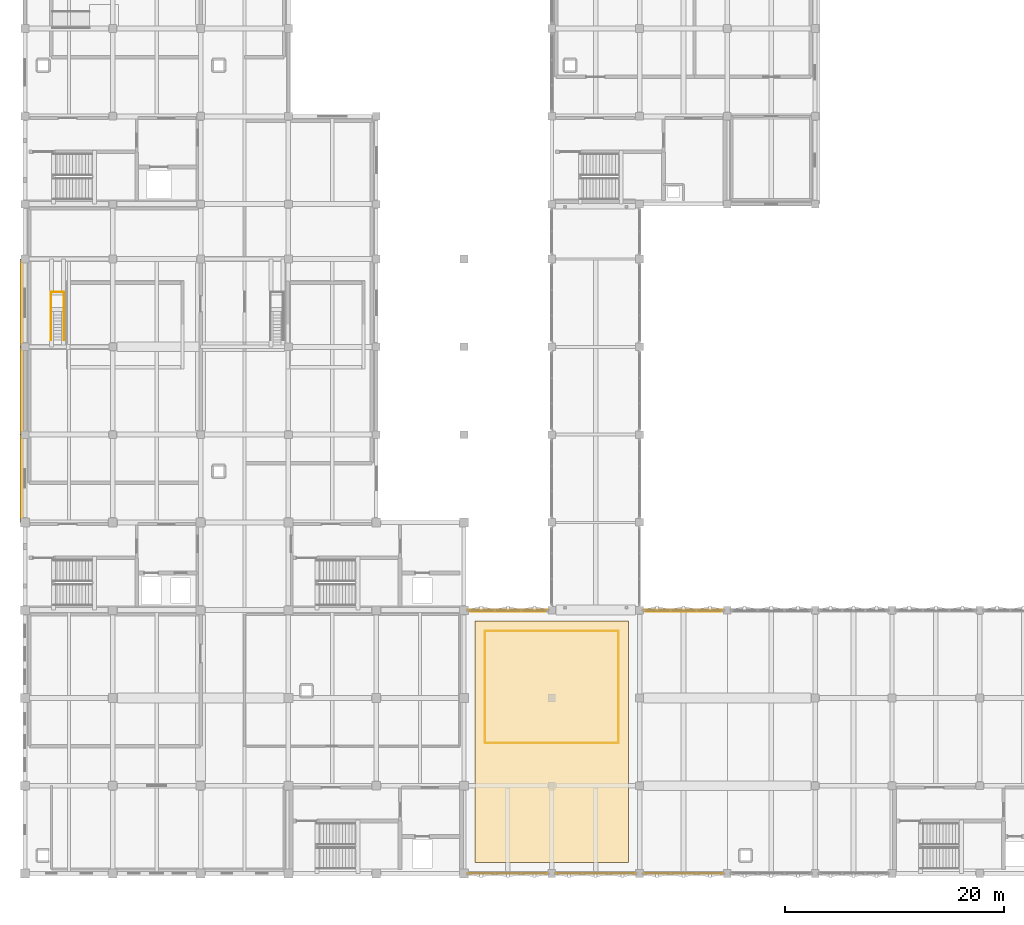
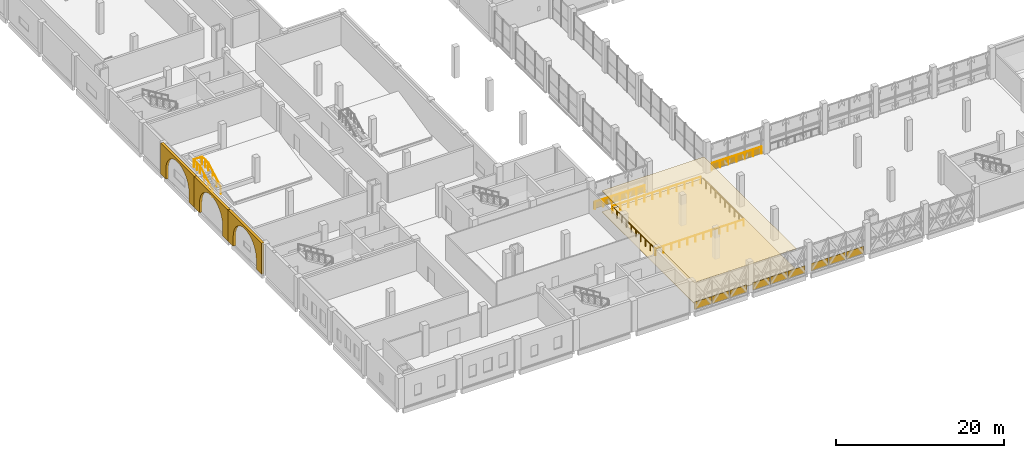
# One storey, part 38 of 45: 20 coverings, 11 railings.
"""IFC4 building model written with IfcOpenShell, lengths in metres."""

from ifc_helpers import new_model, si_unit, direction, frame, origin, origin_2d, place, context, subcontext, project, spatial, polyline, rectangle, circle, outline, extrude, material, layer, layer_set, type_object, element, save


model = new_model("IFC4")

# Units and contexts
model_context = context("Model", 3, precision=1e-05, world=origin(), true_north=direction((0.0, 1.0)))
body_context = subcontext(model_context, "Body", "Model", "MODEL_VIEW")
ifc_project = project(units=[si_unit("LENGTHUNIT", "METRE"), si_unit("AREAUNIT", "SQUARE_METRE"), si_unit("VOLUMEUNIT", "CUBIC_METRE"), si_unit("PLANEANGLEUNIT", "RADIAN"), si_unit("MASSUNIT", "GRAM", prefix="KILO")], contexts=[model_context])

# Site, building, storey
site_placement = place(None, origin())
site = spatial("IfcSite", under=ifc_project, at=site_placement, CompositionType="ELEMENT")
building_placement = place(site_placement, origin())
building = spatial("IfcBuilding", under=site, at=building_placement, Name="Qorikala Patio Media Centre", CompositionType="ELEMENT")
storey_placement = place(building_placement, frame((0.0, 0.0, 9.89990234375)))
storey = spatial("IfcBuildingStorey", under=building, at=storey_placement, Name="L02", CompositionType="ELEMENT", Elevation=9.89990234375)

# Coverings
ifc_material_1 = material(Name="Perforated Andean Timber Acoustic Ceiling", Category="wood")
ifc_layer_1 = layer(ifc_material_1, 0.0400390625)
ifc_layer_set_1 = layer_set([ifc_layer_1], Name="Perforated Andean Timber Acoustic Ceiling")
covering_type_1 = type_object("IfcCoveringType", Name="COV-CEIL-AC", PredefinedType="CEILING", material=ifc_layer_set_1)
covering_1_placement = place(storey_placement, frame((0.0, 0.0, 3.050048828125)))
element("IfcCovering", 1, at=covering_1_placement, inside=storey, type_object=covering_type_1, Name="L02 Acoustic Timber Ceiling 05", PredefinedType="CEILING", context=body_context, shape_type="SweptSolid", body=[
    extrude(outline(polyline([(44.0, 4.0), (58.0, 4.0), (58.0, 26.0), (44.0, 26.0), (44.0, 4.0)])), origin(), (0.0, 0.0, 1.0), 0.0400390625),
])
ifc_material_2 = material(Name="Golden Bronze Anodised Aluminium Panel", Category="aluminium")
ifc_layer_2 = layer(ifc_material_2, 0.044921875)
ifc_layer_set_2 = layer_set([ifc_layer_2], Name="Golden Bronze Anodised Aluminium Panel")
covering_type_2 = type_object("IfcCoveringType", Name="COV-CLAD-GOLD", PredefinedType="CLADDING", material=ifc_layer_set_2)
for number, where, z_axis, x_axis, name in (
    (2, (65.4267578125, 3.0, 0.0), (0.0, 0.0, 1.0), (-1.0, 0.0, 0.0), "L02 Golden Diamond Fold Spandrel 046"),
    (3, (63.0, 3.0, 0.0), (0.0, 0.0, 1.0), (-1.0, 0.0, 0.0), "L02 Golden Diamond Fold Spandrel 047"),
    (4, (60.5732421875, 3.0, 0.0), (0.0, 0.0, 1.0), (-1.0, 0.0, 0.0), "L02 Golden Diamond Fold Spandrel 048"),
    (5, (57.4267578125, 3.0, 0.0), (0.0, 0.0, 1.0), (-1.0, 0.0, 0.0), "L02 Golden Diamond Fold Spandrel 049"),
    (6, (55.0, 3.0, 0.0), (0.0, 0.0, 1.0), (-1.0, 0.0, 0.0), "L02 Golden Diamond Fold Spandrel 050"),
    (7, (52.5732421875, 3.0, 0.0), (0.0, 0.0, 1.0), (-1.0, 0.0, 0.0), "L02 Golden Diamond Fold Spandrel 051"),
    (8, (49.4267578125, 3.0, 0.0), (0.0, 0.0, 1.0), (-1.0, 0.0, 0.0), "L02 Golden Diamond Fold Spandrel 052"),
    (9, (47.0, 3.0, 0.0), (0.0, 0.0, 1.0), (-1.0, 0.0, 0.0), "L02 Golden Diamond Fold Spandrel 053"),
    (10, (44.5732421875, 3.0, 0.0), (0.0, 0.0, 1.0), (-1.0, 0.0, 0.0), "L02 Golden Diamond Fold Spandrel 054"),
    (11, (44.5732421875, 27.0, 0.0), (0.0, 0.0, 1.0), (1.0, 0.0, 0.0), "L02 Golden Diamond Fold Spandrel 055"),
    (12, (47.0, 27.0, 0.0), (0.0, 0.0, 1.0), (1.0, 0.0, 0.0), "L02 Golden Diamond Fold Spandrel 056"),
    (13, (49.4267578125, 27.0, 0.0), (0.0, 0.0, 1.0), (1.0, 0.0, 0.0), "L02 Golden Diamond Fold Spandrel 057"),
    (14, (60.5732421875, 27.0, 0.0), (0.0, 0.0, 1.0), (1.0, 0.0, 0.0), "L02 Golden Diamond Fold Spandrel 058"),
    (15, (63.0, 27.0, 0.0), (0.0, 0.0, 1.0), (1.0, 0.0, 0.0), "L02 Golden Diamond Fold Spandrel 059"),
    (16, (65.4267578125, 27.0, 0.0), (0.0, 0.0, 1.0), (1.0, 0.0, 0.0), "L02 Golden Diamond Fold Spandrel 060"),
):
    element("IfcCovering", number, at=place(storey_placement, frame(where, z_axis=z_axis, x_axis=x_axis)), inside=storey, type_object=covering_type_2, Name=name, PredefinedType="CLADDING", context=body_context, shape_type="SweptSolid", body=[
        extrude(rectangle(XDim=2.32666015625, YDim=0.044921875, at=origin_2d()), origin(), (0.0, 0.0, 1.0), 1.077880859375),
    ])
ifc_material_3 = material(Name="Comanche Granite Ashlar Stone", Category="masonry")
ifc_layer_3 = layer(ifc_material_3, 0.06005859375)
ifc_layer_set_3 = layer_set([ifc_layer_3], Name="Comanche Granite Ashlar Stone")
covering_type_3 = type_object("IfcCoveringType", Name="COV-CLAD-STONE", PredefinedType="CLADDING", material=ifc_layer_set_3)
for number, where, z_axis, x_axis, name in (
    (17, (2.719970703125, 35.0, 0.0), (0.0, 0.0, 1.0), (0.0, 1.0, 0.0), "Spanish Colonial Stone Arched Arcade UARC-V3W-4"),
    (18, (2.719970703125, 43.0, 0.0), (0.0, 0.0, 1.0), (0.0, 1.0, 0.0), "Spanish Colonial Stone Arched Arcade UARC-V3W-5"),
    (19, (2.719970703125, 51.0, 0.0), (0.0, 0.0, 1.0), (0.0, 1.0, 0.0), "Spanish Colonial Stone Arched Arcade UARC-V3W-6"),
):
    element("IfcCovering", number, at=place(storey_placement, frame(where, z_axis=z_axis, x_axis=x_axis)), inside=storey, type_object=covering_type_3, Name=name, PredefinedType="CLADDING", context=body_context, shape_type="SweptSolid", body=[
        extrude(outline(polyline([(0.0, 0.0), (1.25, 0.0), (1.25, 1.429931640625), (1.31884765625, 2.0419921875), (1.522216796875, 2.623291015625), (1.85009765625, 3.14453125), (2.285400390625, 3.580078125), (2.806884765625, 3.90771484375), (3.38818359375, 4.111083984375), (4.0, 4.179931640625), (4.61181640625, 4.111083984375), (5.193115234375, 3.90771484375), (5.714599609375, 3.580078125), (6.14990234375, 3.14453125), (6.477783203125, 2.623291015625), (6.68115234375, 2.0419921875), (6.75, 1.429931640625), (6.75, 0.0), (8.0, 0.0), (8.0, 4.5), (0.0, 4.5), (0.0, 0.0)])), frame((0.0, 0.18017578125, 0.0), z_axis=(0.0, -1.0, 0.0), x_axis=(1.0, 0.0, 0.0)), (0.0, 0.0, 1.0), 0.360107421875),
    ])
ifc_material_4 = material(Name="Honed Comanche Granite Flooring", Category="masonry")
ifc_layer_4 = layer(ifc_material_4, 0.034912109375)
ifc_layer_set_4 = layer_set([ifc_layer_4], Name="Honed Comanche Granite Flooring")
covering_type_4 = type_object("IfcCoveringType", Name="COV-FLOR-STONE", PredefinedType="FLOORING", material=ifc_layer_set_4)
covering_2_placement = place(storey_placement, origin())
element("IfcCovering", 20, at=covering_2_placement, inside=storey, type_object=covering_type_4, Name="L02 Honed Comanche Granite Flooring 05", PredefinedType="FLOORING", context=body_context, shape_type="SweptSolid", body=[
    extrude(outline(polyline([(44.0, 4.0), (58.0, 4.0), (58.0, 26.0), (44.0, 26.0), (44.0, 4.0)])), origin(), (0.0, 0.0, 1.0), 0.03515625),
])

# Railings
ifc_material_5 = material(Name="Spanish Colonial Wrought Bronze Balustrade")
railing_type_1 = type_object("IfcRailingType", Name="RL-BAL-110", PredefinedType="BALUSTRADE", material=ifc_material_5)
for number, where, name in (
    (21, (43.60009765625, 26.89990234375, 0.0), "L02 Colonial Patio Balustrade 04"),
    (22, (59.60009765625, 26.89990234375, 0.0), "L02 Colonial Patio Balustrade 05"),
):
    element("IfcRailing", number, at=place(storey_placement, frame(where)), inside=storey, type_object=railing_type_1, Name=name, PredefinedType="BALUSTRADE", context=body_context, shape_type="SweptSolid", body=[
        extrude(circle(Radius=0.02392578125, at=origin_2d()), frame((0.0, 0.0, 1.076171875), z_axis=(1.0, 0.0, 0.0), x_axis=(0.0, 1.0, 0.0)), (0.0, 0.0, 1.0), 6.7998046875),
        extrude(circle(Radius=0.02099609375, at=origin_2d()), origin(), (0.0, 0.0, 1.0), 1.052001953125),
        extrude(circle(Radius=0.02099609375, at=origin_2d()), frame((1.13330078125, 0.0, 0.0)), (0.0, 0.0, 1.0), 1.052001953125),
        extrude(circle(Radius=0.02099609375, at=origin_2d()), frame((2.2666015625, 0.0, 0.0)), (0.0, 0.0, 1.0), 1.052001953125),
        extrude(circle(Radius=0.02099609375, at=origin_2d()), frame((3.39990234375, 0.0, 0.0)), (0.0, 0.0, 1.0), 1.052001953125),
        extrude(circle(Radius=0.02099609375, at=origin_2d()), frame((4.533203125, 0.0, 0.0)), (0.0, 0.0, 1.0), 1.052001953125),
        extrude(circle(Radius=0.02099609375, at=origin_2d()), frame((5.66650390625, 0.0, 0.0)), (0.0, 0.0, 1.0), 1.052001953125),
        extrude(circle(Radius=0.02099609375, at=origin_2d()), frame((6.7998046875, 0.0, 0.0)), (0.0, 0.0, 1.0), 1.052001953125),
    ])
ifc_material_6 = material(Name="Wrought Bronze and Steel S355", Category="steel")
railing_type_2 = type_object("IfcRailingType", Name="RL-GUARD-110", PredefinedType="GUARDRAIL", material=ifc_material_6)
railing_1_placement = place(storey_placement, frame((44.93994140625, 14.89990234375, 0.0)))
element("IfcRailing", 23, at=railing_1_placement, inside=storey, type_object=railing_type_2, Name="L02 Rising Foyer Void Guardrail S", PredefinedType="GUARDRAIL", context=body_context, shape_type="SweptSolid", body=[
    extrude(circle(Radius=0.02392578125, at=origin_2d()), frame((0.0, 0.0, 1.076171875), z_axis=(1.0, 0.0, 0.0), x_axis=(0.0, 1.0, 0.0)), (0.0, 0.0, 1.0), 12.1201171875),
    extrude(circle(Radius=0.02099609375, at=origin_2d()), origin(), (0.0, 0.0, 1.0), 1.052001953125),
    extrude(circle(Radius=0.02099609375, at=origin_2d()), frame((1.101806640625, 0.0, 0.0)), (0.0, 0.0, 1.0), 1.052001953125),
    extrude(circle(Radius=0.02099609375, at=origin_2d()), frame((2.20361328125, 0.0, 0.0)), (0.0, 0.0, 1.0), 1.052001953125),
    extrude(circle(Radius=0.02099609375, at=origin_2d()), frame((3.305419921875, 0.0, 0.0)), (0.0, 0.0, 1.0), 1.052001953125),
    extrude(circle(Radius=0.02099609375, at=origin_2d()), frame((4.4072265625, 0.0, 0.0)), (0.0, 0.0, 1.0), 1.052001953125),
    extrude(circle(Radius=0.02099609375, at=origin_2d()), frame((5.509033203125, 0.0, 0.0)), (0.0, 0.0, 1.0), 1.052001953125),
    extrude(circle(Radius=0.02099609375, at=origin_2d()), frame((6.611083984375, 0.0, 0.0)), (0.0, 0.0, 1.0), 1.052001953125),
    extrude(circle(Radius=0.02099609375, at=origin_2d()), frame((7.712890625, 0.0, 0.0)), (0.0, 0.0, 1.0), 1.052001953125),
    extrude(circle(Radius=0.02099609375, at=origin_2d()), frame((8.814697265625, 0.0, 0.0)), (0.0, 0.0, 1.0), 1.052001953125),
    extrude(circle(Radius=0.02099609375, at=origin_2d()), frame((9.91650390625, 0.0, 0.0)), (0.0, 0.0, 1.0), 1.052001953125),
    extrude(circle(Radius=0.02099609375, at=origin_2d()), frame((11.018310546875, 0.0, 0.0)), (0.0, 0.0, 1.0), 1.052001953125),
    extrude(circle(Radius=0.02099609375, at=origin_2d()), frame((12.1201171875, 0.0, 0.0)), (0.0, 0.0, 1.0), 1.052001953125),
])
railing_2_placement = place(storey_placement, frame((57.10009765625, 14.93994140625, 0.0)))
element("IfcRailing", 24, at=railing_2_placement, inside=storey, type_object=railing_type_2, Name="L02 Rising Foyer Void Guardrail E", PredefinedType="GUARDRAIL", context=body_context, shape_type="SweptSolid", body=[
    extrude(circle(Radius=0.02392578125, at=origin_2d()), frame((0.0, 0.0, 1.076171875), z_axis=(0.0, 1.0, 0.0), x_axis=(-1.0, 0.0, 0.0)), (0.0, 0.0, 1.0), 10.1201171875),
    extrude(circle(Radius=0.02099609375, at=origin_2d()), origin(), (0.0, 0.0, 1.0), 1.052001953125),
    extrude(circle(Radius=0.02099609375, at=origin_2d()), frame((0.0, 1.12451171875, 0.0)), (0.0, 0.0, 1.0), 1.052001953125),
    extrude(circle(Radius=0.02099609375, at=origin_2d()), frame((0.0, 2.2490234375, 0.0)), (0.0, 0.0, 1.0), 1.052001953125),
    extrude(circle(Radius=0.02099609375, at=origin_2d()), frame((0.0, 3.373291015625, 0.0)), (0.0, 0.0, 1.0), 1.052001953125),
    extrude(circle(Radius=0.02099609375, at=origin_2d()), frame((0.0, 4.497802734375, 0.0)), (0.0, 0.0, 1.0), 1.052001953125),
    extrude(circle(Radius=0.02099609375, at=origin_2d()), frame((0.0, 5.622314453125, 0.0)), (0.0, 0.0, 1.0), 1.052001953125),
    extrude(circle(Radius=0.02099609375, at=origin_2d()), frame((0.0, 6.746826171875, 0.0)), (0.0, 0.0, 1.0), 1.052001953125),
    extrude(circle(Radius=0.02099609375, at=origin_2d()), frame((0.0, 7.87109375, 0.0)), (0.0, 0.0, 1.0), 1.052001953125),
    extrude(circle(Radius=0.02099609375, at=origin_2d()), frame((0.0, 8.99560546875, 0.0)), (0.0, 0.0, 1.0), 1.052001953125),
    extrude(circle(Radius=0.02099609375, at=origin_2d()), frame((0.0, 10.1201171875, 0.0)), (0.0, 0.0, 1.0), 1.052001953125),
])
railing_3_placement = place(storey_placement, frame((57.06005859375, 25.10009765625, 0.0)))
element("IfcRailing", 25, at=railing_3_placement, inside=storey, type_object=railing_type_2, Name="L02 Rising Foyer Void Guardrail N", PredefinedType="GUARDRAIL", context=body_context, shape_type="SweptSolid", body=[
    extrude(circle(Radius=0.02392578125, at=origin_2d()), frame((0.0, 0.0, 1.076171875), z_axis=(-1.0, 0.0, 0.0), x_axis=(0.0, -1.0, 0.0)), (0.0, 0.0, 1.0), 12.1201171875),
    extrude(circle(Radius=0.02099609375, at=origin_2d()), origin(), (0.0, 0.0, 1.0), 1.052001953125),
    extrude(circle(Radius=0.02099609375, at=origin_2d()), frame((-1.101806640625, 0.0, 0.0)), (0.0, 0.0, 1.0), 1.052001953125),
    extrude(circle(Radius=0.02099609375, at=origin_2d()), frame((-2.20361328125, 0.0, 0.0)), (0.0, 0.0, 1.0), 1.052001953125),
    extrude(circle(Radius=0.02099609375, at=origin_2d()), frame((-3.305419921875, 0.0, 0.0)), (0.0, 0.0, 1.0), 1.052001953125),
    extrude(circle(Radius=0.02099609375, at=origin_2d()), frame((-4.4072265625, 0.0, 0.0)), (0.0, 0.0, 1.0), 1.052001953125),
    extrude(circle(Radius=0.02099609375, at=origin_2d()), frame((-5.509033203125, 0.0, 0.0)), (0.0, 0.0, 1.0), 1.052001953125),
    extrude(circle(Radius=0.02099609375, at=origin_2d()), frame((-6.611083984375, 0.0, 0.0)), (0.0, 0.0, 1.0), 1.052001953125),
    extrude(circle(Radius=0.02099609375, at=origin_2d()), frame((-7.712890625, 0.0, 0.0)), (0.0, 0.0, 1.0), 1.052001953125),
    extrude(circle(Radius=0.02099609375, at=origin_2d()), frame((-8.814697265625, 0.0, 0.0)), (0.0, 0.0, 1.0), 1.052001953125),
    extrude(circle(Radius=0.02099609375, at=origin_2d()), frame((-9.91650390625, 0.0, 0.0)), (0.0, 0.0, 1.0), 1.052001953125),
    extrude(circle(Radius=0.02099609375, at=origin_2d()), frame((-11.018310546875, 0.0, 0.0)), (0.0, 0.0, 1.0), 1.052001953125),
    extrude(circle(Radius=0.02099609375, at=origin_2d()), frame((-12.1201171875, 0.0, 0.0)), (0.0, 0.0, 1.0), 1.052001953125),
])
railing_4_placement = place(storey_placement, frame((44.89990234375, 25.06005859375, 0.0)))
element("IfcRailing", 26, at=railing_4_placement, inside=storey, type_object=railing_type_2, Name="L02 Rising Foyer Void Guardrail W", PredefinedType="GUARDRAIL", context=body_context, shape_type="SweptSolid", body=[
    extrude(circle(Radius=0.02392578125, at=origin_2d()), frame((0.0, 0.0, 1.076171875), z_axis=(0.0, -1.0, 0.0), x_axis=(1.0, 0.0, 0.0)), (0.0, 0.0, 1.0), 10.1201171875),
    extrude(circle(Radius=0.02099609375, at=origin_2d()), origin(), (0.0, 0.0, 1.0), 1.052001953125),
    extrude(circle(Radius=0.02099609375, at=origin_2d()), frame((0.0, -1.12451171875, 0.0)), (0.0, 0.0, 1.0), 1.052001953125),
    extrude(circle(Radius=0.02099609375, at=origin_2d()), frame((0.0, -2.2490234375, 0.0)), (0.0, 0.0, 1.0), 1.052001953125),
    extrude(circle(Radius=0.02099609375, at=origin_2d()), frame((0.0, -3.373291015625, 0.0)), (0.0, 0.0, 1.0), 1.052001953125),
    extrude(circle(Radius=0.02099609375, at=origin_2d()), frame((0.0, -4.497802734375, 0.0)), (0.0, 0.0, 1.0), 1.052001953125),
    extrude(circle(Radius=0.02099609375, at=origin_2d()), frame((0.0, -5.622314453125, 0.0)), (0.0, 0.0, 1.0), 1.052001953125),
    extrude(circle(Radius=0.02099609375, at=origin_2d()), frame((0.0, -6.746826171875, 0.0)), (0.0, 0.0, 1.0), 1.052001953125),
    extrude(circle(Radius=0.02099609375, at=origin_2d()), frame((0.0, -7.87109375, 0.0)), (0.0, 0.0, 1.0), 1.052001953125),
    extrude(circle(Radius=0.02099609375, at=origin_2d()), frame((0.0, -8.99560546875, 0.0)), (0.0, 0.0, 1.0), 1.052001953125),
    extrude(circle(Radius=0.02099609375, at=origin_2d()), frame((0.0, -10.1201171875, 0.0)), (0.0, 0.0, 1.0), 1.052001953125),
])
ifc_material_7 = material(Name="Wrought Bronze Baluster Guardrail")
railing_type_3 = type_object("IfcRailingType", Name="RL-TERR-115", PredefinedType="GUARDRAIL", material=ifc_material_7)
for number, where, name in (
    (27, (5.3701171875, 51.60009765625, 0.163818359375), "Vomitory Stair VS-03 Flight Guard L"),
    (28, (6.530029296875, 51.60009765625, 0.163818359375), "Vomitory Stair VS-03 Flight Guard R"),
):
    element("IfcRailing", number, at=place(storey_placement, frame(where)), inside=storey, type_object=railing_type_3, Name=name, PredefinedType="GUARDRAIL", context=body_context, shape_type="SweptSolid", body=[
        extrude(circle(Radius=0.02392578125, at=origin_2d()), frame((0.0, 0.0, 1.1259765625), z_axis=(0.0, 0.870928581787, 0.491409610636), x_axis=(-1.0, 0.0, 0.0)), (0.0, 0.0, 1.0), 3.32958984375),
        extrude(circle(Radius=0.02099609375, at=origin_2d()), origin(), (0.0, 0.0, 1.0), 1.101806640625),
        extrude(circle(Radius=0.02099609375, at=origin_2d()), frame((0.0, 0.966552734375, 0.54541015625)), (0.0, 0.0, 1.0), 1.101806640625),
        extrude(circle(Radius=0.02099609375, at=origin_2d()), frame((0.0, 1.933349609375, 1.0908203125)), (0.0, 0.0, 1.0), 1.101806640625),
        extrude(circle(Radius=0.02099609375, at=origin_2d()), frame((0.0, 2.89990234375, 1.63623046875)), (0.0, 0.0, 1.0), 1.101806640625),
    ])
railing_5_placement = place(storey_placement, frame((5.3701171875, 54.5400390625, 1.800048828125)))
element("IfcRailing", 29, at=railing_5_placement, inside=storey, type_object=railing_type_3, Name="Vomitory VS-03 Landing Guard W", PredefinedType="GUARDRAIL", context=body_context, shape_type="SweptSolid", body=[
    extrude(circle(Radius=0.02392578125, at=origin_2d()), frame((0.0, 0.0, 1.1259765625), z_axis=(0.0, 1.0, 0.0), x_axis=(-1.0, 0.0, 0.0)), (0.0, 0.0, 1.0), 1.469970703125),
    extrude(circle(Radius=0.02099609375, at=origin_2d()), origin(), (0.0, 0.0, 1.0), 1.101806640625),
    extrude(circle(Radius=0.02099609375, at=origin_2d()), frame((0.0, 0.73486328125, 0.0)), (0.0, 0.0, 1.0), 1.101806640625),
    extrude(circle(Radius=0.02099609375, at=origin_2d()), frame((0.0, 1.469970703125, 0.0)), (0.0, 0.0, 1.0), 1.101806640625),
])
railing_6_placement = place(storey_placement, frame((5.409912109375, 56.010009765625, 1.800048828125)))
element("IfcRailing", 30, at=railing_6_placement, inside=storey, type_object=railing_type_3, Name="Vomitory VS-03 Landing Guard N", PredefinedType="GUARDRAIL", context=body_context, shape_type="SweptSolid", body=[
    extrude(circle(Radius=0.02392578125, at=origin_2d()), frame((0.0, 0.0, 1.1259765625), z_axis=(1.0, 0.0, 0.0), x_axis=(0.0, 1.0, 0.0)), (0.0, 0.0, 1.0), 1.080078125),
    extrude(circle(Radius=0.02099609375, at=origin_2d()), origin(), (0.0, 0.0, 1.0), 1.101806640625),
    extrude(circle(Radius=0.02099609375, at=origin_2d()), frame((1.080078125, 0.0, 0.0)), (0.0, 0.0, 1.0), 1.101806640625),
])
railing_7_placement = place(storey_placement, frame((6.530029296875, 56.010009765625, 1.800048828125)))
element("IfcRailing", 31, at=railing_7_placement, inside=storey, type_object=railing_type_3, Name="Vomitory VS-03 Landing Guard E", PredefinedType="GUARDRAIL", context=body_context, shape_type="SweptSolid", body=[
    extrude(circle(Radius=0.02392578125, at=origin_2d()), frame((0.0, 0.0, 1.1259765625), z_axis=(0.0, -1.0, 0.0), x_axis=(1.0, 0.0, 0.0)), (0.0, 0.0, 1.0), 1.469970703125),
    extrude(circle(Radius=0.02099609375, at=origin_2d()), origin(), (0.0, 0.0, 1.0), 1.101806640625),
    extrude(circle(Radius=0.02099609375, at=origin_2d()), frame((0.0, -0.73486328125, 0.0)), (0.0, 0.0, 1.0), 1.101806640625),
    extrude(circle(Radius=0.02099609375, at=origin_2d()), frame((0.0, -1.469970703125, 0.0)), (0.0, 0.0, 1.0), 1.101806640625),
])

save(model, "model.ifc")
